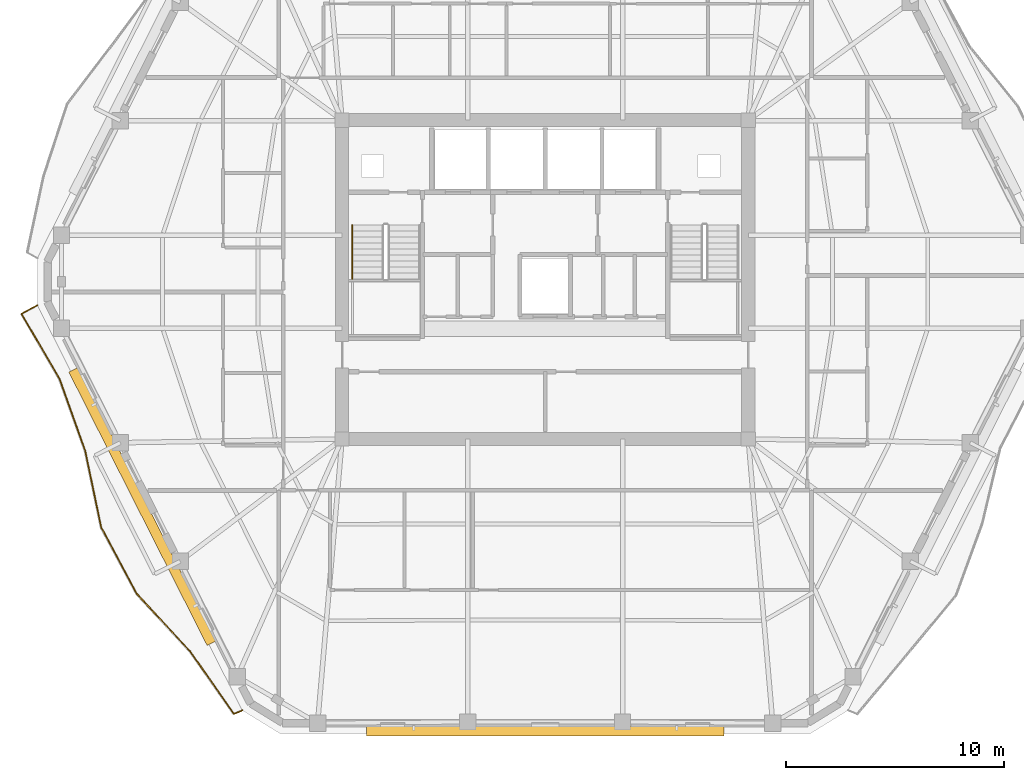
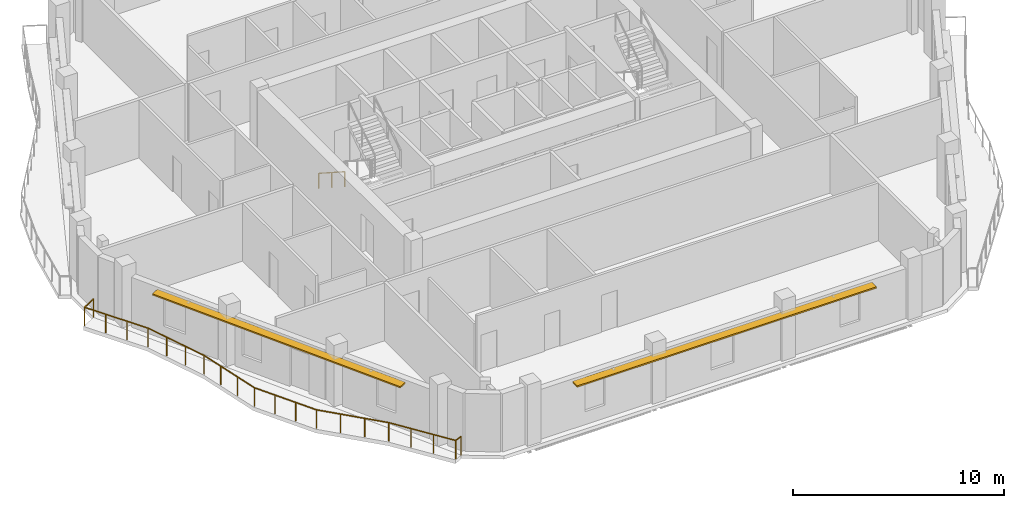
# One storey, part 8 of 11: 2 railings, 2 shading devices.
"""IFC4 building model written with IfcOpenShell, lengths in metres."""

from ifc_helpers import new_model, si_unit, direction, frame, origin, origin_2d, place, context, subcontext, project, spatial, rectangle, extrude, material, layer, layer_set, type_object, element, save


model = new_model("IFC4")

# Units and contexts
model_context = context("Model", 3, precision=1e-05, world=origin(), true_north=direction((0.0, 1.0)))
body_context = subcontext(model_context, "Body", "Model", "MODEL_VIEW")
ifc_project = project(units=[si_unit("LENGTHUNIT", "METRE"), si_unit("AREAUNIT", "SQUARE_METRE"), si_unit("VOLUMEUNIT", "CUBIC_METRE"), si_unit("PLANEANGLEUNIT", "RADIAN"), si_unit("MASSUNIT", "GRAM", prefix="KILO")], contexts=[model_context])

# Site, building, storey
site_placement = place(None, origin())
site = spatial("IfcSite", under=ifc_project, at=site_placement, CompositionType="ELEMENT")
building_placement = place(site_placement, origin())
building = spatial("IfcBuilding", under=site, at=building_placement, Name="Cinnabar Lancet Tower", CompositionType="ELEMENT")
storey_placement = place(building_placement, frame((0.0, 0.0, 214.5)))
storey = spatial("IfcBuildingStorey", under=building, at=storey_placement, Name="L57", CompositionType="ELEMENT", Elevation=214.5)

# Railing
ifc_material_1 = material(Name="Laminated safety glass and bronze stainless steel balustrade", Category="steel")
railing_type_1 = type_object("IfcRailingType", Name="ENV-RLG-BAL-1100", PredefinedType="BALUSTRADE", material=ifc_material_1)
railing_1_placement = place(storey_placement, frame((9.14208984375, 24.72900390625, 0.0)))
element("IfcRailing", 1, at=railing_1_placement, inside=storey, type_object=railing_type_1, Name="L57 Face 6 Wave Balcony Balustrade", PredefinedType="BALUSTRADE", context=body_context, shape_type="SweptSolid", body=[
    extrude(rectangle(XDim=0.048095703125, YDim=0.048095703125, at=origin_2d()), frame((0.0, 0.0, 1.076171875), z_axis=(-0.876554004385, -0.481303518995, 0.0), x_axis=(0.481303518995, -0.876554004385, 0.0)), (0.0, 0.0, 1.0), 0.82275390625),
    extrude(rectangle(XDim=0.048095703125, YDim=0.048095703125, at=origin_2d()), frame((-0.72119140625, -0.39599609375, 1.076171875), z_axis=(0.503621164822, -0.863924604548, 0.0), x_axis=(0.863924604548, 0.503621164822, 0.0)), (0.0, 0.0, 1.0), 3.463134765625),
    extrude(rectangle(XDim=0.048095703125, YDim=0.048095703125, at=origin_2d()), frame((1.02294921875, -3.387939453125, 1.076171875), z_axis=(0.336109970732, -0.941822747429, 0.0), x_axis=(0.941822747429, 0.336109970732, 0.0)), (0.0, 0.0, 1.0), 3.483642578125),
    extrude(rectangle(XDim=0.048095703125, YDim=0.048095703125, at=origin_2d()), frame((2.19384765625, -6.6689453125, 1.076171875), z_axis=(0.204324873379, -0.978903134186, 0.0), x_axis=(0.978903134186, 0.204324873379, 0.0)), (0.0, 0.0, 1.0), 3.577392578125),
    extrude(rectangle(XDim=0.048095703125, YDim=0.048095703125, at=origin_2d()), frame((2.9248046875, -10.1708984375, 1.076171875), z_axis=(0.472035251792, -0.881579673691, 0.0), x_axis=(0.881579673691, 0.472035251792, 0.0)), (0.0, 0.0, 1.0), 3.45751953125),
    extrude(rectangle(XDim=0.048095703125, YDim=0.048095703125, at=origin_2d()), frame((4.556884765625, -13.218994140625, 1.076171875), z_axis=(0.679911677053, -0.733294014299, 0.0), x_axis=(0.733294014299, 0.679911677053, 0.0)), (0.0, 0.0, 1.0), 3.5947265625),
    extrude(rectangle(XDim=0.048095703125, YDim=0.048095703125, at=origin_2d()), frame((7.0009765625, -15.85498046875, 1.076171875), z_axis=(0.573682791852, -0.819077563075, 0.0), x_axis=(0.819077563075, 0.573682791852, 0.0)), (0.0, 0.0, 1.0), 3.4931640625),
    extrude(rectangle(XDim=0.048095703125, YDim=0.048095703125, at=origin_2d()), frame((9.0048828125, -18.716064453125, 1.076171875), z_axis=(0.924482733133, 0.381223918634, 0.0), x_axis=(-0.381223918634, 0.924482733133, 0.0)), (0.0, 0.0, 1.0), 0.414306640625),
    extrude(rectangle(XDim=0.0419921875, YDim=0.0419921875, at=origin_2d()), origin(), (0.0, 0.0, 1.0), 1.052001953125),
    extrude(rectangle(XDim=0.0419921875, YDim=0.0419921875, at=origin_2d()), frame((-0.72119140625, -0.39599609375, 0.0)), (0.0, 0.0, 1.0), 1.052001953125),
    extrude(rectangle(XDim=0.0419921875, YDim=0.0419921875, at=origin_2d()), frame((-0.139892578125, -1.393310546875, 0.0)), (0.0, 0.0, 1.0), 1.052001953125),
    extrude(rectangle(XDim=0.0419921875, YDim=0.0419921875, at=origin_2d()), frame((0.441650390625, -2.390625, 0.0)), (0.0, 0.0, 1.0), 1.052001953125),
    extrude(rectangle(XDim=0.0419921875, YDim=0.0419921875, at=origin_2d()), frame((1.02294921875, -3.387939453125, 0.0)), (0.0, 0.0, 1.0), 1.052001953125),
    extrude(rectangle(XDim=0.0419921875, YDim=0.0419921875, at=origin_2d()), frame((1.413330078125, -4.481689453125, 0.0)), (0.0, 0.0, 1.0), 1.052001953125),
    extrude(rectangle(XDim=0.0419921875, YDim=0.0419921875, at=origin_2d()), frame((1.803466796875, -5.5751953125, 0.0)), (0.0, 0.0, 1.0), 1.052001953125),
    extrude(rectangle(XDim=0.0419921875, YDim=0.0419921875, at=origin_2d()), frame((2.19384765625, -6.6689453125, 0.0)), (0.0, 0.0, 1.0), 1.052001953125),
    extrude(rectangle(XDim=0.0419921875, YDim=0.0419921875, at=origin_2d()), frame((2.4375, -7.836181640625, 0.0)), (0.0, 0.0, 1.0), 1.052001953125),
    extrude(rectangle(XDim=0.0419921875, YDim=0.0419921875, at=origin_2d()), frame((2.68115234375, -9.003662109375, 0.0)), (0.0, 0.0, 1.0), 1.052001953125),
    extrude(rectangle(XDim=0.0419921875, YDim=0.0419921875, at=origin_2d()), frame((2.9248046875, -10.1708984375, 0.0)), (0.0, 0.0, 1.0), 1.052001953125),
    extrude(rectangle(XDim=0.0419921875, YDim=0.0419921875, at=origin_2d()), frame((3.46875, -11.18701171875, 0.0)), (0.0, 0.0, 1.0), 1.052001953125),
    extrude(rectangle(XDim=0.0419921875, YDim=0.0419921875, at=origin_2d()), frame((4.012939453125, -12.202880859375, 0.0)), (0.0, 0.0, 1.0), 1.052001953125),
    extrude(rectangle(XDim=0.0419921875, YDim=0.0419921875, at=origin_2d()), frame((4.556884765625, -13.218994140625, 0.0)), (0.0, 0.0, 1.0), 1.052001953125),
    extrude(rectangle(XDim=0.0419921875, YDim=0.0419921875, at=origin_2d()), frame((5.37158203125, -14.09765625, 0.0)), (0.0, 0.0, 1.0), 1.052001953125),
    extrude(rectangle(XDim=0.0419921875, YDim=0.0419921875, at=origin_2d()), frame((6.186279296875, -14.976318359375, 0.0)), (0.0, 0.0, 1.0), 1.052001953125),
    extrude(rectangle(XDim=0.0419921875, YDim=0.0419921875, at=origin_2d()), frame((7.0009765625, -15.85498046875, 0.0)), (0.0, 0.0, 1.0), 1.052001953125),
    extrude(rectangle(XDim=0.0419921875, YDim=0.0419921875, at=origin_2d()), frame((7.6689453125, -16.80859375, 0.0)), (0.0, 0.0, 1.0), 1.052001953125),
    extrude(rectangle(XDim=0.0419921875, YDim=0.0419921875, at=origin_2d()), frame((8.3369140625, -17.762451171875, 0.0)), (0.0, 0.0, 1.0), 1.052001953125),
    extrude(rectangle(XDim=0.0419921875, YDim=0.0419921875, at=origin_2d()), frame((9.0048828125, -18.716064453125, 0.0)), (0.0, 0.0, 1.0), 1.052001953125),
    extrude(rectangle(XDim=0.0419921875, YDim=0.0419921875, at=origin_2d()), frame((9.387939453125, -18.55810546875, 0.0)), (0.0, 0.0, 1.0), 1.052001953125),
])

# Shading devices
ifc_material_2 = material(Name="Pale limestone architectural aluminium sunshade", Category="masonry")
ifc_layer = layer(ifc_material_2, 0.080078125)
ifc_layer_set = layer_set([ifc_layer], Name="Pale limestone architectural aluminium sunshade")
shading_device_type = type_object("IfcShadingDeviceType", Name="ENV-SHD-LVR-450", PredefinedType="JALOUSIE", material=ifc_layer_set)
shading_device_1_placement = place(storey_placement, frame((32.39990234375, 5.22998046875, 2.639892578125), z_axis=(0.0, 0.0, 1.0), x_axis=(1.0, 0.0, 0.0)))
element("IfcShadingDevice", 2, at=shading_device_1_placement, inside=storey, type_object=shading_device_type, Name="L57 Face 1 Horizontal Sunshade Canopy", PredefinedType="JALOUSIE", context=body_context, shape_type="SweptSolid", body=[
    extrude(rectangle(XDim=16.3720703125, YDim=0.449951171875, at=origin_2d()), origin(), (0.0, 0.0, 1.0), 0.080078125),
])
shading_device_2_placement = place(storey_placement, frame((13.9541015625, 15.506103515625, 2.639892578125), z_axis=(0.0, 0.0, 1.0), x_axis=(0.45140713236, -0.892318105193, 0.0)))
element("IfcShadingDevice", 3, at=shading_device_2_placement, inside=storey, type_object=shading_device_type, Name="L57 Face 6 Horizontal Sunshade Canopy", PredefinedType="JALOUSIE", context=body_context, shape_type="SweptSolid", body=[
    extrude(rectangle(XDim=14.034912109375, YDim=0.449951171875, at=origin_2d()), origin(), (0.0, 0.0, 1.0), 0.080078125),
])

# Railing
ifc_material_3 = material(Name="Brushed stainless steel handrail", Category="steel")
railing_type_2 = type_object("IfcRailingType", Name="HANDRAIL-STAIR", PredefinedType="HANDRAIL", material=ifc_material_3)
railing_2_placement = place(storey_placement, frame((23.574951171875, 28.39990234375, 0.177490234375)))
element("IfcRailing", 4, at=railing_2_placement, inside=storey, type_object=railing_type_2, Name="L57 ST-1 stair handrail 1", PredefinedType="HANDRAIL", context=body_context, shape_type="SweptSolid", body=[
    extrude(rectangle(XDim=0.048095703125, YDim=0.048095703125, at=origin_2d()), frame((0.0, 0.0, 0.8759765625), z_axis=(0.0, -0.840183358697, 0.542302428327), x_axis=(1.0, 0.0, 0.0)), (0.0, 0.0, 1.0), 2.945556640625),
    extrude(rectangle(XDim=0.0419921875, YDim=0.0419921875, at=origin_2d()), origin(), (0.0, 0.0, 1.0), 0.851806640625),
    extrude(rectangle(XDim=0.0419921875, YDim=0.0419921875, at=origin_2d()), frame((0.0, -1.2373046875, 0.798828125)), (0.0, 0.0, 1.0), 0.851806640625),
    extrude(rectangle(XDim=0.0419921875, YDim=0.0419921875, at=origin_2d()), frame((0.0, -2.474853515625, 1.597412109375)), (0.0, 0.0, 1.0), 0.851806640625),
])

save(model, "model.ifc")
